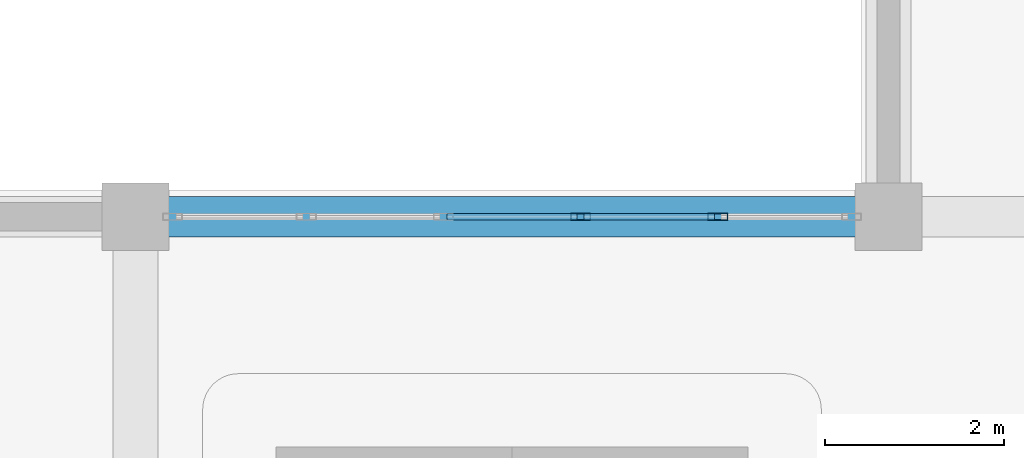
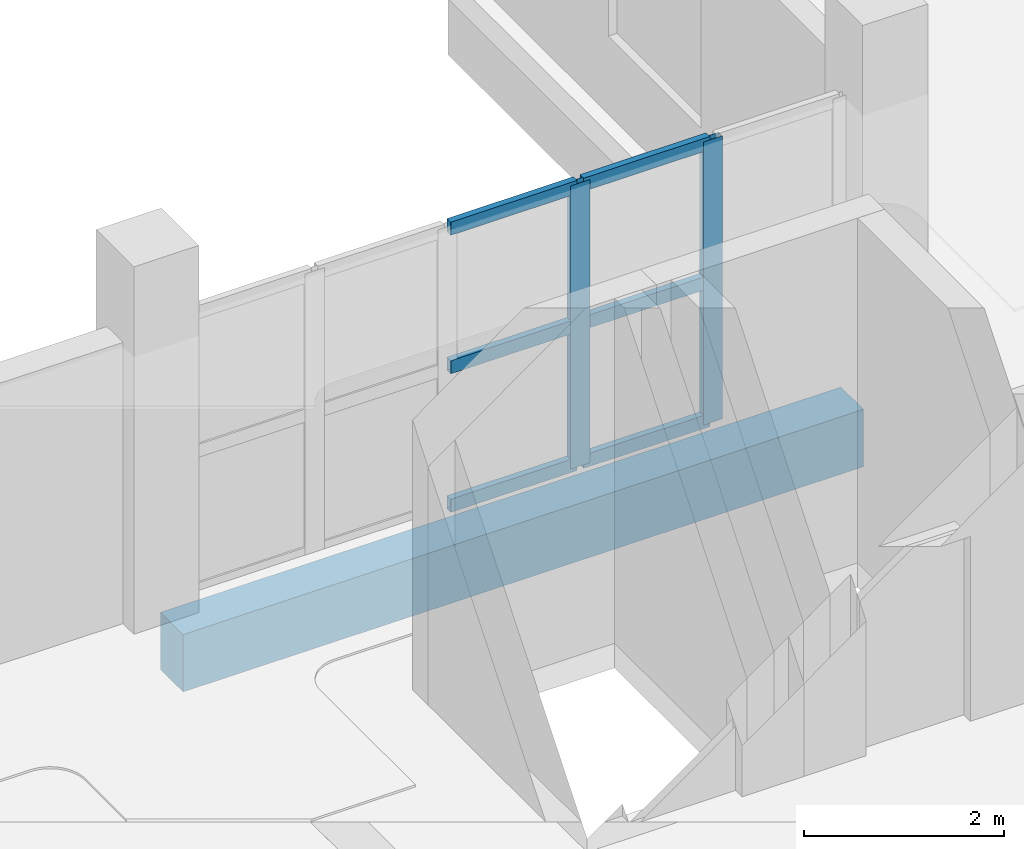
# One storey, part 10 of 30: 8 members, 1 beam, 1 element without a shape of its own.
"""IFC4 building model written with IfcOpenShell, lengths in metres."""

from ifc_helpers import new_model, si_unit, direction, frame, origin, origin_2d, place, context, subcontext, project, spatial, rectangle, hollow_rectangle, extrude, material, layer, layer_set, material_profile, profile_set, type_object, element, aggregate, save


model = new_model("IFC4")

# Units and contexts
model_context = context("Model", 3, precision=1e-05, world=origin(), true_north=direction((0.0, 1.0)))
body_context = subcontext(model_context, "Body", "Model", "MODEL_VIEW")
ifc_project = project(units=[si_unit("LENGTHUNIT", "METRE"), si_unit("AREAUNIT", "SQUARE_METRE"), si_unit("VOLUMEUNIT", "CUBIC_METRE"), si_unit("PLANEANGLEUNIT", "RADIAN"), si_unit("MASSUNIT", "GRAM", prefix="KILO")], contexts=[model_context])

# Site, building, storey
site_placement = place(None, origin())
site = spatial("IfcSite", under=ifc_project, at=site_placement, CompositionType="ELEMENT")
building_placement = place(site_placement, origin())
building = spatial("IfcBuilding", under=site, at=building_placement, Name="Xazarin Passage Department Store", CompositionType="ELEMENT")
storey_placement = place(building_placement, frame((0.0, 0.0, 23.39990234375)))
storey = spatial("IfcBuildingStorey", under=building, at=storey_placement, Name="L05", CompositionType="ELEMENT", Elevation=23.39990234375)

# Curtain wall, members
ifc_material_1 = material(Name="Bronze anodised aluminium", Category="aluminium")
ifc_layer = layer(ifc_material_1, 0.199951171875)
ifc_layer_set = layer_set([ifc_layer], Name="Bronze anodised aluminium")
curtain_wall_type = type_object("IfcCurtainWallType", Name="ARC-CW-VIT2", PredefinedType="NOTDEFINED", material=ifc_layer_set)
curtain_wall_placement = place(storey_placement, origin())
curtain_wall = element("IfcCurtainWall", 1, at=curtain_wall_placement, inside=storey, type_object=curtain_wall_type, Name="L05 V1 Curtain Wall 079", PredefinedType="NOTDEFINED")
ifc_material_profile_1 = material_profile(ifc_material_1, hollow_rectangle(XDim=0.074951171875, YDim=0.219970703125, WallThickness=0.0048828125, at=origin_2d()), Name="ALU 75x220")
ifc_profile_set_1 = profile_set([ifc_material_profile_1], Name="Bronze anodised aluminium")
member_type_1 = type_object("IfcMemberType", Name="ARC-CWM-75x220", PredefinedType="MULLION", material=ifc_profile_set_1)
member_1_placement = place(storey_placement, frame((13.364990234375, 101.60009765625, 0.0), z_axis=(0.0, 0.0, 1.0), x_axis=(0.0, 1.0, 0.0)))
member_1 = element("IfcMember", 2, at=member_1_placement, type_object=member_type_1, Name="CW2 mullion 4", PredefinedType="MULLION", context=body_context, shape_type="SweptSolid", body=[
    extrude(hollow_rectangle(XDim=0.074951171875, YDim=0.219970703125, WallThickness=0.0048828125, at=origin_2d()), origin(), (0.0, 0.0, 1.0), 3.4501953125),
])
member_2_placement = place(storey_placement, frame((14.89501953125, 101.60009765625, 0.0), z_axis=(0.0, 0.0, 1.0), x_axis=(0.0, 1.0, 0.0)))
member_2 = element("IfcMember", 3, at=member_2_placement, type_object=member_type_1, Name="CW2 mullion 5", PredefinedType="MULLION", context=body_context, shape_type="SweptSolid", body=[
    extrude(hollow_rectangle(XDim=0.074951171875, YDim=0.219970703125, WallThickness=0.0048828125, at=origin_2d()), origin(), (0.0, 0.0, 1.0), 3.4501953125),
])
ifc_material_profile_2 = material_profile(ifc_material_1, hollow_rectangle(XDim=0.074951171875, YDim=0.159912109375, WallThickness=0.00439453125, at=origin_2d()), Name="ALU 75x160")
ifc_profile_set_2 = profile_set([ifc_material_profile_2], Name="Bronze anodised aluminium")
member_type_2 = type_object("IfcMemberType", Name="ARC-CWT-75x160", PredefinedType="USERDEFINED", material=ifc_profile_set_2)
member_3_placement = place(storey_placement, frame((11.87255859375, 101.60009765625, 0.03759765625), z_axis=(1.0, 0.0, 0.0), x_axis=(0.0, 1.0, 0.0)))
member_3 = element("IfcMember", 4, at=member_3_placement, type_object=member_type_2, Name="CW2 transom 3.1", ObjectType="TRANSOM", PredefinedType="USERDEFINED", context=body_context, shape_type="SweptSolid", body=[
    extrude(hollow_rectangle(XDim=0.074951171875, YDim=0.159912109375, WallThickness=0.00439453125, at=origin_2d()), origin(), (0.0, 0.0, 1.0), 1.454833984375),
])
member_4_placement = place(storey_placement, frame((11.87255859375, 101.60009765625, 1.72509765625), z_axis=(1.0, 0.0, 0.0), x_axis=(0.0, 1.0, 0.0)))
member_4 = element("IfcMember", 5, at=member_4_placement, type_object=member_type_2, Name="CW2 transom 3.2", ObjectType="TRANSOM", PredefinedType="USERDEFINED", context=body_context, shape_type="SweptSolid", body=[
    extrude(hollow_rectangle(XDim=0.074951171875, YDim=0.159912109375, WallThickness=0.00439453125, at=origin_2d()), origin(), (0.0, 0.0, 1.0), 1.454833984375),
])
member_5_placement = place(storey_placement, frame((11.87255859375, 101.60009765625, 3.41259765625), z_axis=(1.0, 0.0, 0.0), x_axis=(0.0, 1.0, 0.0)))
member_5 = element("IfcMember", 6, at=member_5_placement, type_object=member_type_2, Name="CW2 transom 3.3", ObjectType="TRANSOM", PredefinedType="USERDEFINED", context=body_context, shape_type="SweptSolid", body=[
    extrude(hollow_rectangle(XDim=0.074951171875, YDim=0.159912109375, WallThickness=0.00439453125, at=origin_2d()), origin(), (0.0, 0.0, 1.0), 1.454833984375),
])
member_6_placement = place(storey_placement, frame((13.402587890625, 101.60009765625, 0.03759765625), z_axis=(1.0, 0.0, 0.0), x_axis=(0.0, 1.0, 0.0)))
member_6 = element("IfcMember", 7, at=member_6_placement, type_object=member_type_2, Name="CW2 transom 4.1", ObjectType="TRANSOM", PredefinedType="USERDEFINED", context=body_context, shape_type="SweptSolid", body=[
    extrude(hollow_rectangle(XDim=0.074951171875, YDim=0.159912109375, WallThickness=0.00439453125, at=origin_2d()), origin(), (0.0, 0.0, 1.0), 1.454833984375),
])
member_7_placement = place(storey_placement, frame((13.402587890625, 101.60009765625, 1.72509765625), z_axis=(1.0, 0.0, 0.0), x_axis=(0.0, 1.0, 0.0)))
member_7 = element("IfcMember", 8, at=member_7_placement, type_object=member_type_2, Name="CW2 transom 4.2", ObjectType="TRANSOM", PredefinedType="USERDEFINED", context=body_context, shape_type="SweptSolid", body=[
    extrude(hollow_rectangle(XDim=0.074951171875, YDim=0.159912109375, WallThickness=0.00439453125, at=origin_2d()), origin(), (0.0, 0.0, 1.0), 1.454833984375),
])
member_8_placement = place(storey_placement, frame((13.402587890625, 101.60009765625, 3.41259765625), z_axis=(1.0, 0.0, 0.0), x_axis=(0.0, 1.0, 0.0)))
member_8 = element("IfcMember", 9, at=member_8_placement, type_object=member_type_2, Name="CW2 transom 4.3", ObjectType="TRANSOM", PredefinedType="USERDEFINED", context=body_context, shape_type="SweptSolid", body=[
    extrude(hollow_rectangle(XDim=0.074951171875, YDim=0.159912109375, WallThickness=0.00439453125, at=origin_2d()), origin(), (0.0, 0.0, 1.0), 1.454833984375),
])
aggregate(curtain_wall, [member_1, member_2, member_3, member_4, member_5, member_6, member_7, member_8])

# Beam
ifc_material_2 = material(Name="Concrete C35/45", Category="concrete")
ifc_material_profile_3 = material_profile(ifc_material_2, rectangle(XDim=0.449951171875, YDim=0.699951171875, at=origin_2d()), Name="RC 450x700")
ifc_profile_set_3 = profile_set([ifc_material_profile_3], Name="Concrete C35/45")
beam_type = type_object("IfcBeamType", Name="STR-BM-G450x700", PredefinedType="BEAM", material=ifc_profile_set_3)
beam_placement = place(storey_placement, frame((8.679931640625, 101.60009765625, -0.64990234375), z_axis=(1.0, 0.0, 0.0), x_axis=(0.0, 1.0, 0.0)))
element("IfcBeam", 10, at=beam_placement, inside=storey, type_object=beam_type, Name="L05 Grid Beam P/2-3", PredefinedType="BEAM", context=body_context, shape_type="SweptSolid", body=[
    extrude(rectangle(XDim=0.449951171875, YDim=0.699951171875, at=origin_2d()), origin(), (0.0, 0.0, 1.0), 7.840087890625),
])

save(model, "model.ifc")
